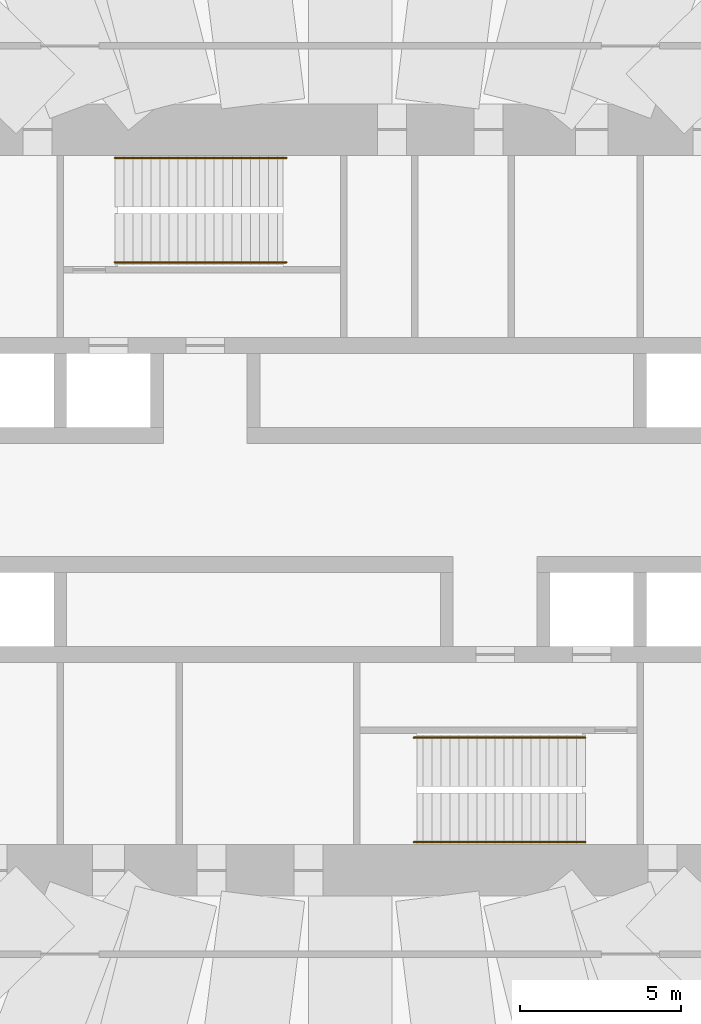
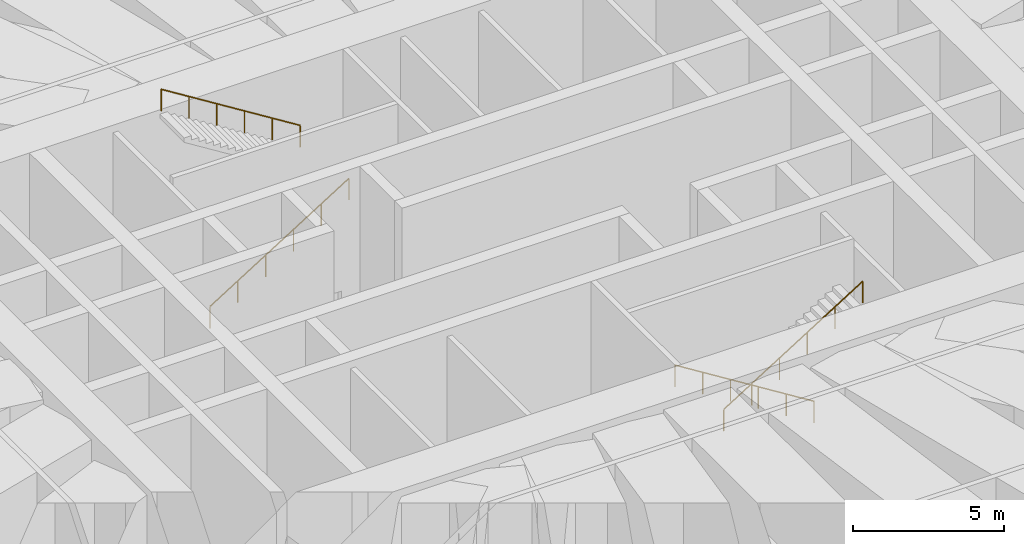
# One storey, part 17 of 17: 4 railings.
"""IFC4 building model written with IfcOpenShell, lengths in metres."""

from ifc_helpers import new_model, si_unit, direction, frame, origin, origin_2d, place, context, subcontext, project, spatial, circle, extrude, material, type_object, element, save


model = new_model("IFC4")

# Units and contexts
model_context = context("Model", 3, precision=1e-05, world=origin(), true_north=direction((0.0, 1.0)))
body_context = subcontext(model_context, "Body", "Model", "MODEL_VIEW")
ifc_project = project(units=[si_unit("LENGTHUNIT", "METRE"), si_unit("AREAUNIT", "SQUARE_METRE"), si_unit("VOLUMEUNIT", "CUBIC_METRE"), si_unit("PLANEANGLEUNIT", "RADIAN"), si_unit("MASSUNIT", "GRAM", prefix="KILO")], contexts=[model_context])

# Site, building, storey
site_placement = place(None, origin())
site = spatial("IfcSite", under=ifc_project, at=site_placement, CompositionType="ELEMENT")
building_placement = place(site_placement, origin())
building = spatial("IfcBuilding", under=site, at=building_placement, Name="Tarfa Lantern Tower", CompositionType="ELEMENT")
storey_placement = place(building_placement, frame((0.0, 0.0, 107.5)))
storey = spatial("IfcBuildingStorey", under=building, at=storey_placement, Name="L24", CompositionType="ELEMENT", Elevation=107.5)

# Railings
ifc_material = material(Name="Stainless steel", Category="steel")
railing_type = type_object("IfcRailingType", Name="HR1 HANDRAIL 900", PredefinedType="HANDRAIL", material=ifc_material)
railing_1_placement = place(storey_placement, frame((-7.300048828125, 7.3798828125, 0.175048828125)))
element("IfcRailing", 1, at=railing_1_placement, inside=storey, type_object=railing_type, Name="Handrail 1", PredefinedType="HANDRAIL", context=body_context, shape_type="SweptSolid", body=[
    extrude(circle(Radius=0.02392578125, at=origin_2d()), frame((0.0, 0.0, 0.8759765625), z_axis=(0.848004862711, 0.0, 0.52998844593), x_axis=(0.0, 1.0, 0.0)), (0.0, 0.0, 1.0), 6.273681640625),
    extrude(circle(Radius=0.02099609375, at=origin_2d()), frame((0.0, 0.0, 0.0), z_axis=(0.0, 0.0, 1.0), x_axis=(0.0, 1.0, 0.0)), (0.0, 0.0, 1.0), 0.851806640625),
    extrude(circle(Radius=0.02099609375, at=origin_2d()), frame((1.06396484375, 0.0, 0.6650390625), z_axis=(0.0, 0.0, 1.0), x_axis=(0.0, 1.0, 0.0)), (0.0, 0.0, 1.0), 0.851806640625),
    extrude(circle(Radius=0.02099609375, at=origin_2d()), frame((2.1279296875, 0.0, 1.330078125), z_axis=(0.0, 0.0, 1.0), x_axis=(0.0, 1.0, 0.0)), (0.0, 0.0, 1.0), 0.851806640625),
    extrude(circle(Radius=0.02099609375, at=origin_2d()), frame((3.192138671875, 0.0, 1.994873046875), z_axis=(0.0, 0.0, 1.0), x_axis=(0.0, 1.0, 0.0)), (0.0, 0.0, 1.0), 0.851806640625),
    extrude(circle(Radius=0.02099609375, at=origin_2d()), frame((4.256103515625, 0.0, 2.659912109375), z_axis=(0.0, 0.0, 1.0), x_axis=(0.0, 1.0, 0.0)), (0.0, 0.0, 1.0), 0.851806640625),
    extrude(circle(Radius=0.02099609375, at=origin_2d()), frame((5.320068359375, 0.0, 3.324951171875), z_axis=(0.0, 0.0, 1.0), x_axis=(0.0, 1.0, 0.0)), (0.0, 0.0, 1.0), 0.851806640625),
])
for number, where, name in (
    (2, (-1.97998046875, 10.6201171875, 3.675048828125), "Handrail 2"),
    (3, (7.300048828125, -7.3798828125, 0.175048828125), "Handrail 1"),
):
    element("IfcRailing", number, at=place(storey_placement, frame(where)), inside=storey, type_object=railing_type, Name=name, PredefinedType="HANDRAIL", context=body_context, shape_type="SweptSolid", body=[
        extrude(circle(Radius=0.02392578125, at=origin_2d()), frame((0.0, 0.0, 0.8759765625), z_axis=(-0.848004862711, 0.0, 0.52998844593), x_axis=(0.0, -1.0, 0.0)), (0.0, 0.0, 1.0), 6.273681640625),
        extrude(circle(Radius=0.02099609375, at=origin_2d()), frame((0.0, 0.0, 0.0), z_axis=(0.0, 0.0, 1.0), x_axis=(0.0, -1.0, 0.0)), (0.0, 0.0, 1.0), 0.851806640625),
        extrude(circle(Radius=0.02099609375, at=origin_2d()), frame((-1.06396484375, 0.0, 0.6650390625), z_axis=(0.0, 0.0, 1.0), x_axis=(0.0, -1.0, 0.0)), (0.0, 0.0, 1.0), 0.851806640625),
        extrude(circle(Radius=0.02099609375, at=origin_2d()), frame((-2.1279296875, 0.0, 1.330078125), z_axis=(0.0, 0.0, 1.0), x_axis=(0.0, -1.0, 0.0)), (0.0, 0.0, 1.0), 0.851806640625),
        extrude(circle(Radius=0.02099609375, at=origin_2d()), frame((-3.192138671875, 0.0, 1.994873046875), z_axis=(0.0, 0.0, 1.0), x_axis=(0.0, -1.0, 0.0)), (0.0, 0.0, 1.0), 0.851806640625),
        extrude(circle(Radius=0.02099609375, at=origin_2d()), frame((-4.256103515625, 0.0, 2.659912109375), z_axis=(0.0, 0.0, 1.0), x_axis=(0.0, -1.0, 0.0)), (0.0, 0.0, 1.0), 0.851806640625),
        extrude(circle(Radius=0.02099609375, at=origin_2d()), frame((-5.320068359375, 0.0, 3.324951171875), z_axis=(0.0, 0.0, 1.0), x_axis=(0.0, -1.0, 0.0)), (0.0, 0.0, 1.0), 0.851806640625),
    ])
railing_2_placement = place(storey_placement, frame((1.97998046875, -10.6201171875, 3.675048828125)))
element("IfcRailing", 4, at=railing_2_placement, inside=storey, type_object=railing_type, Name="Handrail 2", PredefinedType="HANDRAIL", context=body_context, shape_type="SweptSolid", body=[
    extrude(circle(Radius=0.02392578125, at=origin_2d()), frame((0.0, 0.0, 0.8759765625), z_axis=(0.848004862711, 0.0, 0.52998844593), x_axis=(0.0, 1.0, 0.0)), (0.0, 0.0, 1.0), 6.273681640625),
    extrude(circle(Radius=0.02099609375, at=origin_2d()), frame((0.0, 0.0, 0.0), z_axis=(0.0, 0.0, 1.0), x_axis=(0.0, 1.0, 0.0)), (0.0, 0.0, 1.0), 0.851806640625),
    extrude(circle(Radius=0.02099609375, at=origin_2d()), frame((1.06396484375, 0.0, 0.6650390625), z_axis=(0.0, 0.0, 1.0), x_axis=(0.0, 1.0, 0.0)), (0.0, 0.0, 1.0), 0.851806640625),
    extrude(circle(Radius=0.02099609375, at=origin_2d()), frame((2.1279296875, 0.0, 1.330078125), z_axis=(0.0, 0.0, 1.0), x_axis=(0.0, 1.0, 0.0)), (0.0, 0.0, 1.0), 0.851806640625),
    extrude(circle(Radius=0.02099609375, at=origin_2d()), frame((3.192138671875, 0.0, 1.994873046875), z_axis=(0.0, 0.0, 1.0), x_axis=(0.0, 1.0, 0.0)), (0.0, 0.0, 1.0), 0.851806640625),
    extrude(circle(Radius=0.02099609375, at=origin_2d()), frame((4.256103515625, 0.0, 2.659912109375), z_axis=(0.0, 0.0, 1.0), x_axis=(0.0, 1.0, 0.0)), (0.0, 0.0, 1.0), 0.851806640625),
    extrude(circle(Radius=0.02099609375, at=origin_2d()), frame((5.320068359375, 0.0, 3.324951171875), z_axis=(0.0, 0.0, 1.0), x_axis=(0.0, 1.0, 0.0)), (0.0, 0.0, 1.0), 0.851806640625),
])

save(model, "model.ifc")
